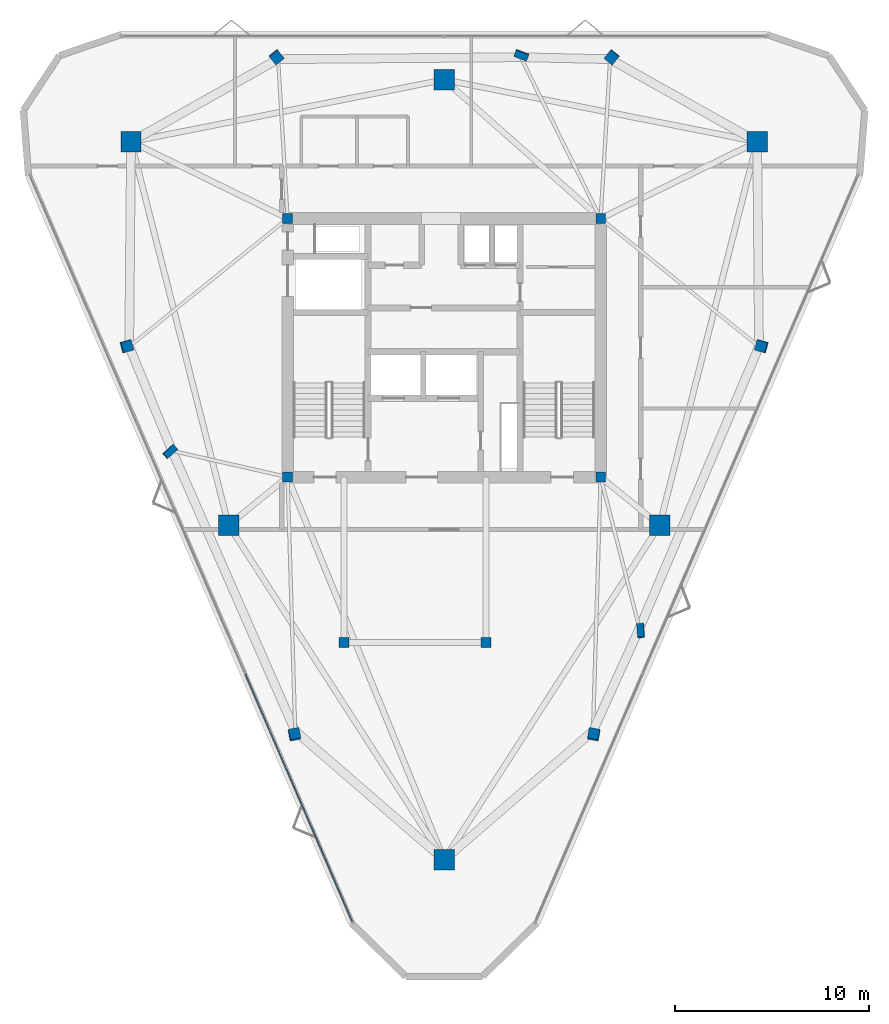
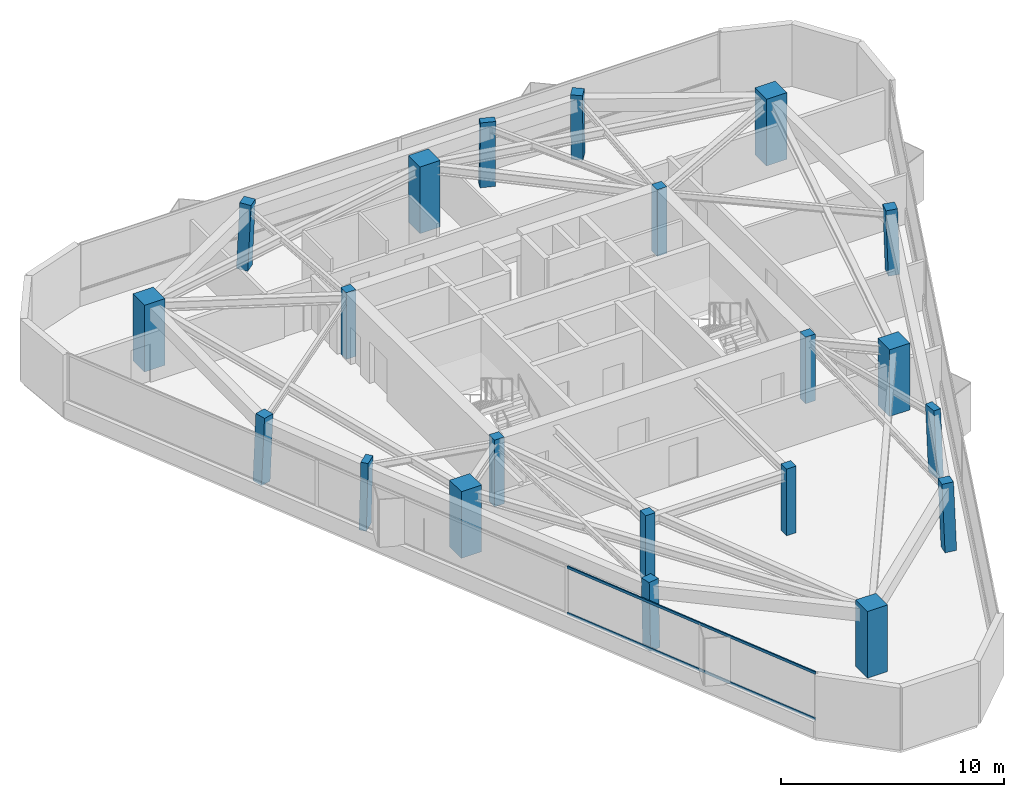
# One storey, part 1 of 11: 21 columns, 2 members, 1 element without a shape of its own.
"""IFC4 building model written with IfcOpenShell, lengths in metres."""

from ifc_helpers import new_model, si_unit, direction, frame, origin, origin_2d, place, context, subcontext, project, spatial, rectangle, extrude, material, layer, layer_set, material_profile, profile_set, type_object, element, aggregate, save


model = new_model("IFC4")

# Units and contexts
model_context = context("Model", 3, precision=1e-05, world=origin(), true_north=direction((0.0, 1.0)))
body_context = subcontext(model_context, "Body", "Model", "MODEL_VIEW")
ifc_project = project(units=[si_unit("LENGTHUNIT", "METRE"), si_unit("AREAUNIT", "SQUARE_METRE"), si_unit("VOLUMEUNIT", "CUBIC_METRE"), si_unit("PLANEANGLEUNIT", "RADIAN"), si_unit("MASSUNIT", "GRAM", prefix="KILO")], contexts=[model_context])

# Site, building, storey
site_placement = place(None, origin())
site = spatial("IfcSite", under=ifc_project, at=site_placement, CompositionType="ELEMENT")
building_placement = place(site_placement, origin())
building = spatial("IfcBuilding", under=site, at=building_placement, Name="Talyreon Biosciences Tower", CompositionType="ELEMENT")
storey_placement = place(building_placement, frame((0.0, 0.0, 283.800048828125)))
storey = spatial("IfcBuildingStorey", under=building, at=storey_placement, Name="L75", CompositionType="ELEMENT", Elevation=283.800048828125)

# Columns
ifc_material_1 = material(Name="Concrete C50/60", Category="concrete")
ifc_material_profile_1 = material_profile(ifc_material_1, rectangle(XDim=0.5, YDim=0.5, at=origin_2d()), Name="RC 500x500")
ifc_profile_set_1 = profile_set([ifc_material_profile_1], Name="Concrete C50/60")
column_type_1 = type_object("IfcColumnType", Name="CrownColumn_500", PredefinedType="COLUMN", material=ifc_profile_set_1)
for number, where, z_axis, x_axis, name in (
    (1, (57.949951171875, 61.35009765625, 0.0), (0.0, 0.0, 1.0), (1.0, 0.0, 0.0), "L75 Core Column CC1"),
    (2, (74.050048828125, 61.35009765625, 0.0), (0.0, 0.0, 1.0), (1.0, 0.0, 0.0), "L75 Core Column CC2"),
    (3, (74.050048828125, 74.64990234375, 0.0), (0.0, 0.0, 1.0), (1.0, 0.0, 0.0), "L75 Core Column CC3"),
    (4, (57.949951171875, 74.64990234375, 0.0), (0.0, 0.0, 1.0), (1.0, 0.0, 0.0), "L75 Core Column CC4"),
    (5, (60.85009765625, 52.840087890625, 0.0), (0.0, 0.0, 1.0), (1.0, 0.0, 0.0), "L75 Core Column CSW"),
    (6, (68.14990234375, 52.840087890625, 0.0), (0.0, 0.0, 1.0), (1.0, 0.0, 0.0), "L75 Core Column CSE"),
):
    element("IfcColumn", number, at=place(storey_placement, frame(where, z_axis=z_axis, x_axis=x_axis)), inside=storey, type_object=column_type_1, Name=name, PredefinedType="COLUMN", context=body_context, shape_type="SweptSolid", body=[
        extrude(rectangle(XDim=0.5, YDim=0.5, at=origin_2d()), origin(), (0.0, 0.0, 1.0), 3.64990234375),
    ])
ifc_material_2 = material(Name="Precast concrete C45/55", Category="concrete")
ifc_material_profile_2 = material_profile(ifc_material_2, rectangle(XDim=0.699951171875, YDim=0.35009765625, at=origin_2d()), Name="RC 700x350")
ifc_profile_set_2 = profile_set([ifc_material_profile_2], Name="Precast concrete C45/55")
column_type_2 = type_object("IfcColumnType", Name="FacadePilaster_700x350", PredefinedType="PILASTER", material=ifc_profile_set_2)
column_1_placement = place(storey_placement, frame((76.12060546875, 53.43310546875, 0.0029296875), z_axis=(-0.019545044433, 0.038353802945, 0.999073058909), x_axis=(0.063141428499, -0.997221885492, 0.039517984558)))
element("IfcColumn", 7, at=column_1_placement, inside=storey, type_object=column_type_2, Name="L75 Facade Pilaster PL-SE", PredefinedType="PILASTER", context=body_context, shape_type="SweptSolid", body=[
    extrude(rectangle(XDim=0.699951171875, YDim=0.35009765625, at=origin_2d()), origin(), (0.0, 0.0, 1.0), 3.6474609375),
])
column_2_placement = place(storey_placement, frame((69.98583984375, 83.067138671875, 0.0029296875), z_axis=(-0.012386580681, -0.033477245085, 0.999362720278), x_axis=(-0.937861842681, 0.347008881792, 0.0)))
element("IfcColumn", 8, at=column_2_placement, inside=storey, type_object=column_type_2, Name="L75 Facade Pilaster PL-N", PredefinedType="PILASTER", context=body_context, shape_type="SweptSolid", body=[
    extrude(rectangle(XDim=0.699951171875, YDim=0.35009765625, at=origin_2d()), origin(), (0.0, 0.0, 1.0), 3.646484375),
])
column_3_placement = place(storey_placement, frame((51.893310546875, 62.660888671875, 0.0029296875), z_axis=(0.032006431603, 0.010646490847, 0.99943095838), x_axis=(0.745445668866, 0.665846743555, -0.030965607795)))
element("IfcColumn", 9, at=column_3_placement, inside=storey, type_object=column_type_2, Name="L75 Facade Pilaster PL-SW", PredefinedType="PILASTER", context=body_context, shape_type="SweptSolid", body=[
    extrude(rectangle(XDim=0.699951171875, YDim=0.35009765625, at=origin_2d()), origin(), (0.0, 0.0, 1.0), 3.64599609375),
])
ifc_material_profile_3 = material_profile(ifc_material_1, rectangle(XDim=1.050048828125, YDim=1.050048828125, at=origin_2d()), Name="RC 1050x1050")
ifc_profile_set_3 = profile_set([ifc_material_profile_3], Name="Concrete C50/60")
column_type_3 = type_object("IfcColumnType", Name="MegaColumn_1050", PredefinedType="COLUMN", material=ifc_profile_set_3)
for number, where, z_axis, x_axis, name in (
    (10, (66.0, 41.6669921875, 0.0), (0.0, 0.0, 1.0), (1.0, 0.0, 0.0), "L75 Composite Mega-Column MC1"),
    (11, (82.102294921875, 78.5986328125, 0.0), (0.0, 0.0, 1.0), (1.0, 0.0, 0.0), "L75 Composite Mega-Column MC2"),
    (12, (49.897705078125, 78.5986328125, 0.0), (0.0, 0.0, 1.0), (1.0, 0.0, 0.0), "L75 Composite Mega-Column MC3"),
    (13, (77.086181640625, 58.88037109375, 0.0), (0.0, 0.0, 1.0), (1.0, 0.0, 0.0), "L75 Composite Mega-Column MC4"),
    (14, (66.0, 81.788818359375, 0.0), (0.0, 0.0, 1.0), (1.0, 0.0, 0.0), "L75 Composite Mega-Column MC5"),
    (15, (54.913818359375, 58.88037109375, 0.0), (0.0, 0.0, 1.0), (1.0, 0.0, 0.0), "L75 Composite Mega-Column MC6"),
):
    element("IfcColumn", number, at=place(storey_placement, frame(where, z_axis=z_axis, x_axis=x_axis)), inside=storey, type_object=column_type_3, Name=name, PredefinedType="COLUMN", context=body_context, shape_type="SweptSolid", body=[
        extrude(rectangle(XDim=1.050048828125, YDim=1.050048828125, at=origin_2d()), origin(), (0.0, 0.0, 1.0), 3.64990234375),
    ])
ifc_material_profile_4 = material_profile(ifc_material_1, rectangle(XDim=0.550048828125, YDim=0.550048828125, at=origin_2d()), Name="RC 550x550")
ifc_profile_set_4 = profile_set([ifc_material_profile_4], Name="Concrete C50/60")
column_type_4 = type_object("IfcColumnType", Name="PerimeterColumn_550", PredefinedType="COLUMN", material=ifc_profile_set_4)
column_4_placement = place(storey_placement, frame((73.703857421875, 48.08984375, 0.0029296875), z_axis=(-0.012375096162, 0.054517315524, 0.998436136818), x_axis=(-0.183787538217, -0.981625310273, 0.05132144803)))
element("IfcColumn", 16, at=column_4_placement, inside=storey, type_object=column_type_4, Name="L75 Tapering Perimeter Column PC-SE1", PredefinedType="COLUMN", context=body_context, shape_type="SweptSolid", body=[
    extrude(rectangle(XDim=0.550048828125, YDim=0.550048828125, at=origin_2d()), origin(), (0.0, 0.0, 1.0), 3.649658203125),
])
column_5_placement = place(storey_placement, frame((82.33984375, 68.08349609375, 0.0029296875), z_axis=(-0.03916266647, -0.005623357237, 0.999217025179), x_axis=(0.964351815614, -0.262118976607, 0.036321038329)))
element("IfcColumn", 17, at=column_5_placement, inside=storey, type_object=column_type_4, Name="L75 Tapering Perimeter Column PC-SE2", PredefinedType="COLUMN", context=body_context, shape_type="SweptSolid", body=[
    extrude(rectangle(XDim=0.550048828125, YDim=0.550048828125, at=origin_2d()), origin(), (0.0, 0.0, 1.0), 3.64697265625),
])
for number, where, z_axis, x_axis, name in (
    (18, (74.635986328125, 82.96728515625, 0.0029296875), (-0.026841076243, -0.033534611465, 0.999077067328), (-0.780716755404, 0.624885067698, 0.0), "L75 Tapering Perimeter Column PC-N1"),
    (19, (57.364013671875, 82.96728515625, 0.0029296875), (0.026841076243, -0.033534611465, 0.999077067328), (-0.780716755404, -0.624885067698, 0.0), "L75 Tapering Perimeter Column PC-N2"),
):
    element("IfcColumn", number, at=place(storey_placement, frame(where, z_axis=z_axis, x_axis=x_axis)), inside=storey, type_object=column_type_4, Name=name, PredefinedType="COLUMN", context=body_context, shape_type="SweptSolid", body=[
        extrude(rectangle(XDim=0.550048828125, YDim=0.550048828125, at=origin_2d()), origin(), (0.0, 0.0, 1.0), 3.6474609375),
    ])
column_6_placement = place(storey_placement, frame((49.66015625, 68.08349609375, 0.0029296875), z_axis=(0.03916266647, -0.005623357237, 0.999217025179), x_axis=(0.964351815614, 0.262118976607, -0.036321038329)))
element("IfcColumn", 20, at=column_6_placement, inside=storey, type_object=column_type_4, Name="L75 Tapering Perimeter Column PC-SW1", PredefinedType="COLUMN", context=body_context, shape_type="SweptSolid", body=[
    extrude(rectangle(XDim=0.550048828125, YDim=0.550048828125, at=origin_2d()), origin(), (0.0, 0.0, 1.0), 3.64697265625),
])
column_7_placement = place(storey_placement, frame((58.296142578125, 48.08984375, 0.0029296875), z_axis=(0.012375096162, 0.054517315524, 0.998436136818), x_axis=(-0.183787538217, 0.981625310273, -0.05132144803)))
element("IfcColumn", 21, at=column_7_placement, inside=storey, type_object=column_type_4, Name="L75 Tapering Perimeter Column PC-SW2", PredefinedType="COLUMN", context=body_context, shape_type="SweptSolid", body=[
    extrude(rectangle(XDim=0.550048828125, YDim=0.550048828125, at=origin_2d()), origin(), (0.0, 0.0, 1.0), 3.649658203125),
])

# Curtain wall, members
ifc_material_3 = material(Name="Thermally broken aluminium and low-E glazing", Category="aluminium")
ifc_layer = layer(ifc_material_3, 0.175048828125)
ifc_layer_set = layer_set([ifc_layer], Name="Thermally broken aluminium and low-E glazing")
curtain_wall_type = type_object("IfcCurtainWallType", Name="CurtainWall_Zone5CompLab", PredefinedType="NOTDEFINED", material=ifc_layer_set)
curtain_wall_placement = place(storey_placement, origin())
curtain_wall = element("IfcCurtainWall", 22, at=curtain_wall_placement, inside=storey, type_object=curtain_wall_type, Name="L75 Unitised Curtain Wall FCW-L75-00", PredefinedType="NOTDEFINED")
ifc_material_4 = material(Name="Anodised thermally broken aluminium", Category="aluminium")
ifc_material_profile_5 = material_profile(ifc_material_4, rectangle(XDim=0.06494140625, YDim=0.139892578125, at=origin_2d()), Name="ALUM TRANSOM 65x140")
ifc_profile_set_5 = profile_set([ifc_material_profile_5], Name="Anodised thermally broken aluminium")
member_type = type_object("IfcMemberType", Name="CWTransom_65x140", PredefinedType="USERDEFINED", material=ifc_profile_set_5)
member_1_placement = place(storey_placement, frame((61.27392578125, 38.497314453125, 0.842529296875), z_axis=(-0.396529792405, 0.918021853626, 0.0), x_axis=(-0.918021853626, -0.396529792405, 0.0)))
member_1 = element("IfcMember", 23, at=member_1_placement, type_object=member_type, Name="CW6 transom 1.1", ObjectType="TRANSOM", PredefinedType="USERDEFINED", context=body_context, shape_type="SweptSolid", body=[
    extrude(rectangle(XDim=0.06494140625, YDim=0.139892578125, at=origin_2d()), origin(), (0.0, 0.0, 1.0), 13.863525390625),
])
member_2_placement = place(storey_placement, frame((61.27392578125, 38.497314453125, 3.367431640625), z_axis=(-0.396529792405, 0.918021853626, 0.0), x_axis=(-0.918021853626, -0.396529792405, 0.0)))
member_2 = element("IfcMember", 24, at=member_2_placement, type_object=member_type, Name="CW6 transom 1.2", ObjectType="TRANSOM", PredefinedType="USERDEFINED", context=body_context, shape_type="SweptSolid", body=[
    extrude(rectangle(XDim=0.06494140625, YDim=0.139892578125, at=origin_2d()), origin(), (0.0, 0.0, 1.0), 13.863525390625),
])
aggregate(curtain_wall, [member_1, member_2])

save(model, "model.ifc")
